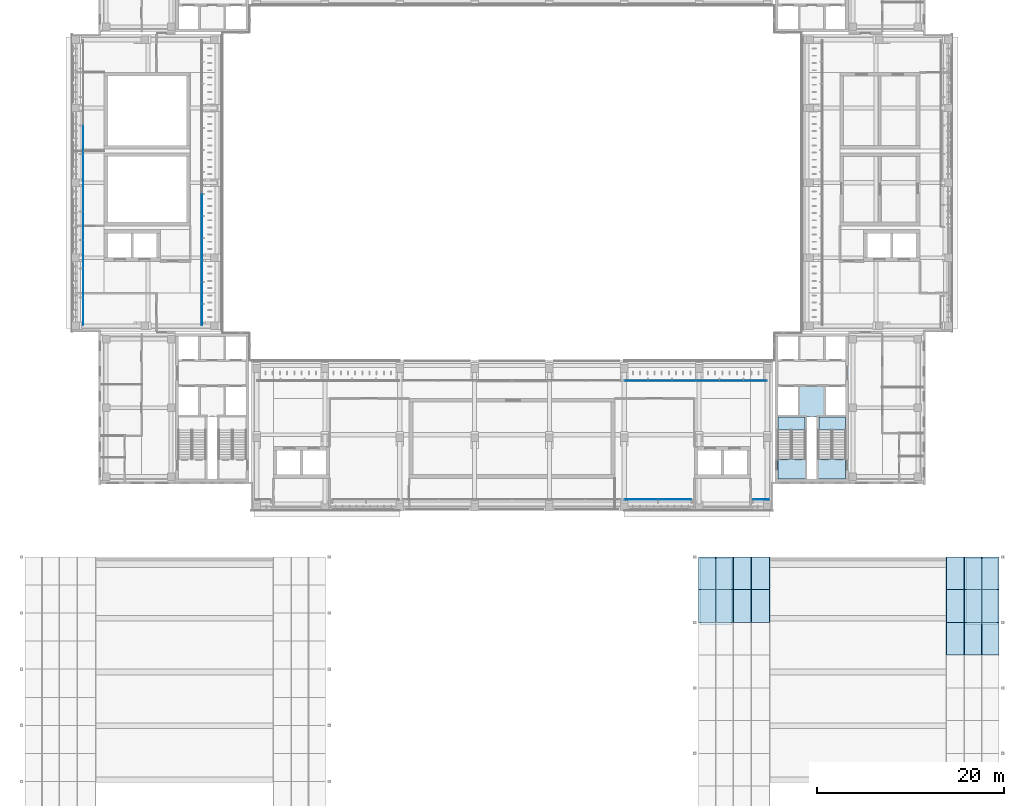
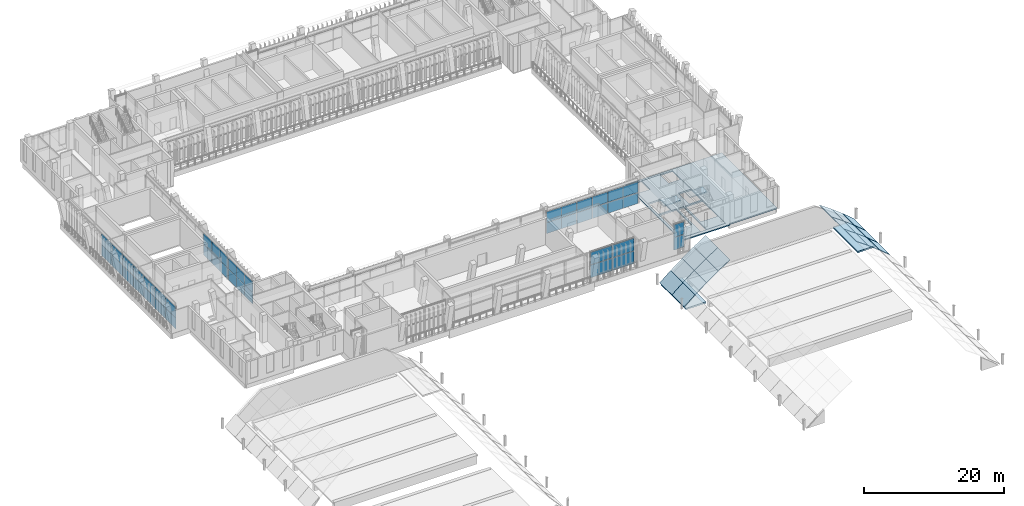
# One storey, part 51 of 89: 44 plates, 23 slabs, 7 elements without a shape of their own.
"""IFC4 building model written with IfcOpenShell, lengths in metres."""

from ifc_helpers import new_model, si_unit, direction, frame, origin, origin_2d, place, context, subcontext, project, spatial, polyline, rectangle, outline, extrude, material, layer, layer_set, type_object, element, aggregate, save


model = new_model("IFC4")

# Units and contexts
model_context = context("Model", 3, precision=1e-05, world=origin(), true_north=direction((0.0, 1.0)))
body_context = subcontext(model_context, "Body", "Model", "MODEL_VIEW")
ifc_project = project(units=[si_unit("LENGTHUNIT", "METRE"), si_unit("AREAUNIT", "SQUARE_METRE"), si_unit("VOLUMEUNIT", "CUBIC_METRE"), si_unit("PLANEANGLEUNIT", "RADIAN"), si_unit("MASSUNIT", "GRAM", prefix="KILO")], contexts=[model_context])

# Site, building, storey
site_placement = place(None, origin())
site = spatial("IfcSite", under=ifc_project, at=site_placement, CompositionType="ELEMENT")
building_placement = place(site_placement, origin())
building = spatial("IfcBuilding", under=site, at=building_placement, Name="Lantern Court Media Centre", CompositionType="ELEMENT")
storey_placement = place(building_placement, frame((0.0, 0.0, 14.39990234375)))
storey = spatial("IfcBuildingStorey", under=building, at=storey_placement, Name="L03", CompositionType="ELEMENT", Elevation=14.39990234375)

# Slab
ifc_material_1 = material(Name="Concrete C40", Category="concrete")
ifc_layer_1 = layer(ifc_material_1, 0.25)
ifc_layer_set_1 = layer_set([ifc_layer_1], Name="Concrete C40")
slab_type_1 = type_object("IfcSlabType", Name="Core floor slab 250", PredefinedType="FLOOR", material=ifc_layer_set_1)
slab_1_placement = place(storey_placement, frame((0.0, 0.0, -0.25)))
element("IfcSlab", 1, at=slab_1_placement, inside=storey, type_object=slab_type_1, Name="L03 SE core floor", PredefinedType="FLOOR", context=body_context, shape_type="SweptSolid", body=[
    extrude(outline(polyline([(87.64990234375, 55.199951171875), (87.64990234375, 54.94970703125), (84.80029296875, 54.94970703125), (84.80029296875, 50.450439453125), (87.64990234375, 50.450439453125), (87.64990234375, 48.35009765625), (84.550048828125, 48.35009765625), (84.550048828125, 54.949951171875), (83.550048828125, 54.949951171875), (83.550048828125, 48.35009765625), (80.449951171875, 48.35009765625), (80.449951171875, 50.450439453125), (83.299560546875, 50.450439453125), (83.299560546875, 54.94970703125), (80.449951171875, 54.94970703125), (80.449951171875, 55.199951171875), (82.550048828125, 55.199951171875), (82.550048828125, 58.199951171875), (80.449951171875, 58.199951171875), (80.449951171875, 61.10009765625), (82.550048828125, 61.10009765625), (82.550048828125, 63.550048828125), (85.550048828125, 63.550048828125), (85.550048828125, 61.10009765625), (87.64990234375, 61.10009765625), (87.64990234375, 58.199951171875), (85.550048828125, 58.199951171875), (85.550048828125, 55.199951171875), (87.64990234375, 55.199951171875)])), origin(), (0.0, 0.0, 1.0), 0.25),
])

# Curtain wall, plates
ifc_material_2 = material(Name="Curtain wall bay 2400")
curtain_wall_type_1 = type_object("IfcCurtainWallType", Name="Curtain wall bay 2400", PredefinedType="NOTDEFINED", material=ifc_material_2)
curtain_wall_1_placement = place(storey_placement, origin())
curtain_wall_1 = element("IfcCurtainWall", 2, at=curtain_wall_1_placement, inside=storey, type_object=curtain_wall_type_1, Name="Curtain wall S inner L03", PredefinedType="NOTDEFINED")
ifc_material_3 = material(Name="Low-iron double glazed unit glass", Category="glass")
ifc_layer_2 = layer(ifc_material_3, 0.02392578125)
ifc_layer_set_2 = layer_set([ifc_layer_2], Name="Low-iron double glazed unit glass")
plate_type_1 = type_object("IfcPlateType", Name="Curtain wall glazing unit 24", PredefinedType="CURTAIN_PANEL", material=ifc_layer_set_2)
plate_1_placement = place(storey_placement, frame((65.28759765625, 58.85009765625, 0.050048828125), z_axis=(0.0, 0.0, 1.0), x_axis=(1.0, 0.0, 0.0)))
plate_1 = element("IfcPlate", 3, at=plate_1_placement, type_object=plate_type_1, Name="CW2 panel 1.1", PredefinedType="CURTAIN_PANEL", context=body_context, shape_type="SweptSolid", body=[
    extrude(rectangle(XDim=2.47509765625, YDim=0.02392578125, at=origin_2d()), origin(), (0.0, 0.0, 1.0), 1.89990234375),
])
plate_2_placement = place(storey_placement, frame((65.28759765625, 58.85009765625, 2.000244140625), z_axis=(0.0, 0.0, 1.0), x_axis=(1.0, 0.0, 0.0)))
plate_2 = element("IfcPlate", 4, at=plate_2_placement, type_object=plate_type_1, Name="CW2 panel 1.2", PredefinedType="CURTAIN_PANEL", context=body_context, shape_type="SweptSolid", body=[
    extrude(rectangle(XDim=2.47509765625, YDim=0.02392578125, at=origin_2d()), origin(), (0.0, 0.0, 1.0), 1.89990234375),
])
plate_3_placement = place(storey_placement, frame((67.824951171875, 58.85009765625, 0.050048828125), z_axis=(0.0, 0.0, 1.0), x_axis=(1.0, 0.0, 0.0)))
plate_3 = element("IfcPlate", 5, at=plate_3_placement, type_object=plate_type_1, Name="CW2 panel 2.1", PredefinedType="CURTAIN_PANEL", context=body_context, shape_type="SweptSolid", body=[
    extrude(rectangle(XDim=2.5, YDim=0.02392578125, at=origin_2d()), origin(), (0.0, 0.0, 1.0), 1.89990234375),
])
plate_4_placement = place(storey_placement, frame((67.824951171875, 58.85009765625, 2.000244140625), z_axis=(0.0, 0.0, 1.0), x_axis=(1.0, 0.0, 0.0)))
plate_4 = element("IfcPlate", 6, at=plate_4_placement, type_object=plate_type_1, Name="CW2 panel 2.2", PredefinedType="CURTAIN_PANEL", context=body_context, shape_type="SweptSolid", body=[
    extrude(rectangle(XDim=2.5, YDim=0.02392578125, at=origin_2d()), origin(), (0.0, 0.0, 1.0), 1.89990234375),
])
plate_5_placement = place(storey_placement, frame((70.375, 58.85009765625, 0.050048828125), z_axis=(0.0, 0.0, 1.0), x_axis=(1.0, 0.0, 0.0)))
plate_5 = element("IfcPlate", 7, at=plate_5_placement, type_object=plate_type_1, Name="CW2 panel 3.1", PredefinedType="CURTAIN_PANEL", context=body_context, shape_type="SweptSolid", body=[
    extrude(rectangle(XDim=2.5, YDim=0.02392578125, at=origin_2d()), origin(), (0.0, 0.0, 1.0), 1.89990234375),
])
plate_6_placement = place(storey_placement, frame((70.375, 58.85009765625, 2.000244140625), z_axis=(0.0, 0.0, 1.0), x_axis=(1.0, 0.0, 0.0)))
plate_6 = element("IfcPlate", 8, at=plate_6_placement, type_object=plate_type_1, Name="CW2 panel 3.2", PredefinedType="CURTAIN_PANEL", context=body_context, shape_type="SweptSolid", body=[
    extrude(rectangle(XDim=2.5, YDim=0.02392578125, at=origin_2d()), origin(), (0.0, 0.0, 1.0), 1.89990234375),
])
plate_7_placement = place(storey_placement, frame((72.925048828125, 58.85009765625, 0.050048828125), z_axis=(0.0, 0.0, 1.0), x_axis=(1.0, 0.0, 0.0)))
plate_7 = element("IfcPlate", 9, at=plate_7_placement, type_object=plate_type_1, Name="CW2 panel 4.1", PredefinedType="CURTAIN_PANEL", context=body_context, shape_type="SweptSolid", body=[
    extrude(rectangle(XDim=2.5, YDim=0.02392578125, at=origin_2d()), origin(), (0.0, 0.0, 1.0), 1.89990234375),
])
plate_8_placement = place(storey_placement, frame((72.925048828125, 58.85009765625, 2.000244140625), z_axis=(0.0, 0.0, 1.0), x_axis=(1.0, 0.0, 0.0)))
plate_8 = element("IfcPlate", 10, at=plate_8_placement, type_object=plate_type_1, Name="CW2 panel 4.2", PredefinedType="CURTAIN_PANEL", context=body_context, shape_type="SweptSolid", body=[
    extrude(rectangle(XDim=2.5, YDim=0.02392578125, at=origin_2d()), origin(), (0.0, 0.0, 1.0), 1.89990234375),
])
plate_9_placement = place(storey_placement, frame((75.47509765625, 58.85009765625, 0.050048828125), z_axis=(0.0, 0.0, 1.0), x_axis=(1.0, 0.0, 0.0)))
plate_9 = element("IfcPlate", 11, at=plate_9_placement, type_object=plate_type_1, Name="CW2 panel 5.1", PredefinedType="CURTAIN_PANEL", context=body_context, shape_type="SweptSolid", body=[
    extrude(rectangle(XDim=2.5, YDim=0.02392578125, at=origin_2d()), origin(), (0.0, 0.0, 1.0), 1.89990234375),
])
plate_10_placement = place(storey_placement, frame((75.47509765625, 58.85009765625, 2.000244140625), z_axis=(0.0, 0.0, 1.0), x_axis=(1.0, 0.0, 0.0)))
plate_10 = element("IfcPlate", 12, at=plate_10_placement, type_object=plate_type_1, Name="CW2 panel 5.2", PredefinedType="CURTAIN_PANEL", context=body_context, shape_type="SweptSolid", body=[
    extrude(rectangle(XDim=2.5, YDim=0.02392578125, at=origin_2d()), origin(), (0.0, 0.0, 1.0), 1.89990234375),
])
plate_11_placement = place(storey_placement, frame((78.012451171875, 58.85009765625, 0.050048828125), z_axis=(0.0, 0.0, 1.0), x_axis=(1.0, 0.0, 0.0)))
plate_11 = element("IfcPlate", 13, at=plate_11_placement, type_object=plate_type_1, Name="CW2 panel 6.1", PredefinedType="CURTAIN_PANEL", context=body_context, shape_type="SweptSolid", body=[
    extrude(rectangle(XDim=2.47509765625, YDim=0.02392578125, at=origin_2d()), origin(), (0.0, 0.0, 1.0), 1.89990234375),
])
plate_12_placement = place(storey_placement, frame((78.012451171875, 58.85009765625, 2.000244140625), z_axis=(0.0, 0.0, 1.0), x_axis=(1.0, 0.0, 0.0)))
plate_12 = element("IfcPlate", 14, at=plate_12_placement, type_object=plate_type_1, Name="CW2 panel 6.2", PredefinedType="CURTAIN_PANEL", context=body_context, shape_type="SweptSolid", body=[
    extrude(rectangle(XDim=2.47509765625, YDim=0.02392578125, at=origin_2d()), origin(), (0.0, 0.0, 1.0), 1.89990234375),
])
aggregate(curtain_wall_1, [plate_1, plate_2, plate_3, plate_4, plate_5, plate_6, plate_7, plate_8, plate_9, plate_10, plate_11, plate_12])

curtain_wall_2_placement = place(storey_placement, origin())
curtain_wall_2 = element("IfcCurtainWall", 15, at=curtain_wall_2_placement, inside=storey, type_object=curtain_wall_type_1, Name="Curtain wall W inner L03", PredefinedType="NOTDEFINED")
plate_13_placement = place(storey_placement, frame((18.85009765625, 65.889404296875, 0.050048828125), z_axis=(0.0, 0.0, 1.0), x_axis=(0.0, 1.0, 0.0)))
plate_13 = element("IfcPlate", 16, at=plate_13_placement, type_object=plate_type_1, Name="CW2 panel 1.1", PredefinedType="CURTAIN_PANEL", context=body_context, shape_type="SweptSolid", body=[
    extrude(rectangle(XDim=2.27880859375, YDim=0.02392578125, at=origin_2d()), origin(), (0.0, 0.0, 1.0), 1.89990234375),
])
plate_14_placement = place(storey_placement, frame((18.85009765625, 65.889404296875, 2.000244140625), z_axis=(0.0, 0.0, 1.0), x_axis=(0.0, 1.0, 0.0)))
plate_14 = element("IfcPlate", 17, at=plate_14_placement, type_object=plate_type_1, Name="CW2 panel 1.2", PredefinedType="CURTAIN_PANEL", context=body_context, shape_type="SweptSolid", body=[
    extrude(rectangle(XDim=2.27880859375, YDim=0.02392578125, at=origin_2d()), origin(), (0.0, 0.0, 1.0), 1.89990234375),
])
plate_15_placement = place(storey_placement, frame((18.85009765625, 68.230712890625, 0.050048828125), z_axis=(0.0, 0.0, 1.0), x_axis=(0.0, 1.0, 0.0)))
plate_15 = element("IfcPlate", 18, at=plate_15_placement, type_object=plate_type_1, Name="CW2 panel 2.1", PredefinedType="CURTAIN_PANEL", context=body_context, shape_type="SweptSolid", body=[
    extrude(rectangle(XDim=2.303955078125, YDim=0.02392578125, at=origin_2d()), origin(), (0.0, 0.0, 1.0), 1.89990234375),
])
plate_16_placement = place(storey_placement, frame((18.85009765625, 68.230712890625, 2.000244140625), z_axis=(0.0, 0.0, 1.0), x_axis=(0.0, 1.0, 0.0)))
plate_16 = element("IfcPlate", 19, at=plate_16_placement, type_object=plate_type_1, Name="CW2 panel 2.2", PredefinedType="CURTAIN_PANEL", context=body_context, shape_type="SweptSolid", body=[
    extrude(rectangle(XDim=2.303955078125, YDim=0.02392578125, at=origin_2d()), origin(), (0.0, 0.0, 1.0), 1.89990234375),
])
plate_17_placement = place(storey_placement, frame((18.85009765625, 70.584716796875, 0.050048828125), z_axis=(0.0, 0.0, 1.0), x_axis=(0.0, 1.0, 0.0)))
plate_17 = element("IfcPlate", 20, at=plate_17_placement, type_object=plate_type_1, Name="CW2 panel 3.1", PredefinedType="CURTAIN_PANEL", context=body_context, shape_type="SweptSolid", body=[
    extrude(rectangle(XDim=2.303955078125, YDim=0.02392578125, at=origin_2d()), origin(), (0.0, 0.0, 1.0), 1.89990234375),
])
plate_18_placement = place(storey_placement, frame((18.85009765625, 70.584716796875, 2.000244140625), z_axis=(0.0, 0.0, 1.0), x_axis=(0.0, 1.0, 0.0)))
plate_18 = element("IfcPlate", 21, at=plate_18_placement, type_object=plate_type_1, Name="CW2 panel 3.2", PredefinedType="CURTAIN_PANEL", context=body_context, shape_type="SweptSolid", body=[
    extrude(rectangle(XDim=2.303955078125, YDim=0.02392578125, at=origin_2d()), origin(), (0.0, 0.0, 1.0), 1.89990234375),
])
plate_19_placement = place(storey_placement, frame((18.85009765625, 72.9384765625, 0.050048828125), z_axis=(0.0, 0.0, 1.0), x_axis=(0.0, 1.0, 0.0)))
plate_19 = element("IfcPlate", 22, at=plate_19_placement, type_object=plate_type_1, Name="CW2 panel 4.1", PredefinedType="CURTAIN_PANEL", context=body_context, shape_type="SweptSolid", body=[
    extrude(rectangle(XDim=2.303955078125, YDim=0.02392578125, at=origin_2d()), origin(), (0.0, 0.0, 1.0), 1.89990234375),
])
plate_20_placement = place(storey_placement, frame((18.85009765625, 72.9384765625, 2.000244140625), z_axis=(0.0, 0.0, 1.0), x_axis=(0.0, 1.0, 0.0)))
plate_20 = element("IfcPlate", 23, at=plate_20_placement, type_object=plate_type_1, Name="CW2 panel 4.2", PredefinedType="CURTAIN_PANEL", context=body_context, shape_type="SweptSolid", body=[
    extrude(rectangle(XDim=2.303955078125, YDim=0.02392578125, at=origin_2d()), origin(), (0.0, 0.0, 1.0), 1.89990234375),
])
plate_21_placement = place(storey_placement, frame((18.85009765625, 75.292236328125, 0.050048828125), z_axis=(0.0, 0.0, 1.0), x_axis=(0.0, 1.0, 0.0)))
plate_21 = element("IfcPlate", 24, at=plate_21_placement, type_object=plate_type_1, Name="CW2 panel 5.1", PredefinedType="CURTAIN_PANEL", context=body_context, shape_type="SweptSolid", body=[
    extrude(rectangle(XDim=2.303955078125, YDim=0.02392578125, at=origin_2d()), origin(), (0.0, 0.0, 1.0), 1.89990234375),
])
plate_22_placement = place(storey_placement, frame((18.85009765625, 75.292236328125, 2.000244140625), z_axis=(0.0, 0.0, 1.0), x_axis=(0.0, 1.0, 0.0)))
plate_22 = element("IfcPlate", 25, at=plate_22_placement, type_object=plate_type_1, Name="CW2 panel 5.2", PredefinedType="CURTAIN_PANEL", context=body_context, shape_type="SweptSolid", body=[
    extrude(rectangle(XDim=2.303955078125, YDim=0.02392578125, at=origin_2d()), origin(), (0.0, 0.0, 1.0), 1.89990234375),
])
plate_23_placement = place(storey_placement, frame((18.85009765625, 77.646240234375, 0.050048828125), z_axis=(0.0, 0.0, 1.0), x_axis=(0.0, 1.0, 0.0)))
plate_23 = element("IfcPlate", 26, at=plate_23_placement, type_object=plate_type_1, Name="CW2 panel 6.1", PredefinedType="CURTAIN_PANEL", context=body_context, shape_type="SweptSolid", body=[
    extrude(rectangle(XDim=2.303955078125, YDim=0.02392578125, at=origin_2d()), origin(), (0.0, 0.0, 1.0), 1.89990234375),
])
plate_24_placement = place(storey_placement, frame((18.85009765625, 77.646240234375, 2.000244140625), z_axis=(0.0, 0.0, 1.0), x_axis=(0.0, 1.0, 0.0)))
plate_24 = element("IfcPlate", 27, at=plate_24_placement, type_object=plate_type_1, Name="CW2 panel 6.2", PredefinedType="CURTAIN_PANEL", context=body_context, shape_type="SweptSolid", body=[
    extrude(rectangle(XDim=2.303955078125, YDim=0.02392578125, at=origin_2d()), origin(), (0.0, 0.0, 1.0), 1.89990234375),
])
aggregate(curtain_wall_2, [plate_13, plate_14, plate_15, plate_16, plate_17, plate_18, plate_19, plate_20, plate_21, plate_22, plate_23, plate_24])

ifc_material_4 = material(Name="Curtain wall bay 3000")
curtain_wall_type_2 = type_object("IfcCurtainWallType", Name="Curtain wall bay 3000", PredefinedType="NOTDEFINED", material=ifc_material_4)
curtain_wall_3_placement = place(storey_placement, origin())
curtain_wall_3 = element("IfcCurtainWall", 28, at=curtain_wall_3_placement, inside=storey, type_object=curtain_wall_type_2, Name="Curtain wall S outer L03", PredefinedType="NOTDEFINED")
ifc_layer_3 = layer(ifc_material_3, 0.028076171875)
ifc_layer_set_3 = layer_set([ifc_layer_3], Name="Low-iron double glazed unit glass")
plate_type_2 = type_object("IfcPlateType", Name="Curtain wall glazing unit 28", PredefinedType="CURTAIN_PANEL", material=ifc_layer_set_3)
plate_25_placement = place(storey_placement, frame((65.827392578125, 46.14990234375, 0.06005859375), z_axis=(0.0, 0.0, 1.0), x_axis=(1.0, 0.0, 0.0)))
plate_25 = element("IfcPlate", 29, at=plate_25_placement, type_object=plate_type_2, Name="CW1 panel 1.1", PredefinedType="CURTAIN_PANEL", context=body_context, shape_type="SweptSolid", body=[
    extrude(rectangle(XDim=3.534912109375, YDim=0.028076171875, at=origin_2d()), origin(), (0.0, 0.0, 1.0), 2.199951171875),
])
plate_26_placement = place(storey_placement, frame((65.827392578125, 46.14990234375, 2.3203125), z_axis=(0.0, 0.0, 1.0), x_axis=(1.0, 0.0, 0.0)))
plate_26 = element("IfcPlate", 30, at=plate_26_placement, type_object=plate_type_2, Name="CW1 panel 1.2", PredefinedType="CURTAIN_PANEL", context=body_context, shape_type="SweptSolid", body=[
    extrude(rectangle(XDim=3.534912109375, YDim=0.028076171875, at=origin_2d()), origin(), (0.0, 0.0, 1.0), 2.199951171875),
])
plate_27_placement = place(storey_placement, frame((69.422607421875, 46.14990234375, 0.06005859375), z_axis=(0.0, 0.0, 1.0), x_axis=(1.0, 0.0, 0.0)))
plate_27 = element("IfcPlate", 31, at=plate_27_placement, type_object=plate_type_2, Name="CW1 panel 2.1", PredefinedType="CURTAIN_PANEL", context=body_context, shape_type="SweptSolid", body=[
    extrude(rectangle(XDim=3.534912109375, YDim=0.028076171875, at=origin_2d()), origin(), (0.0, 0.0, 1.0), 2.199951171875),
])
plate_28_placement = place(storey_placement, frame((69.422607421875, 46.14990234375, 2.3203125), z_axis=(0.0, 0.0, 1.0), x_axis=(1.0, 0.0, 0.0)))
plate_28 = element("IfcPlate", 32, at=plate_28_placement, type_object=plate_type_2, Name="CW1 panel 2.2", PredefinedType="CURTAIN_PANEL", context=body_context, shape_type="SweptSolid", body=[
    extrude(rectangle(XDim=3.534912109375, YDim=0.028076171875, at=origin_2d()), origin(), (0.0, 0.0, 1.0), 2.199951171875),
])
aggregate(curtain_wall_3, [plate_25, plate_26, plate_27, plate_28])

curtain_wall_4_placement = place(storey_placement, origin())
curtain_wall_4 = element("IfcCurtainWall", 33, at=curtain_wall_4_placement, inside=storey, type_object=curtain_wall_type_2, Name="Curtain wall S outer L03", PredefinedType="NOTDEFINED")
plate_29_placement = place(storey_placement, frame((78.6650390625, 46.14990234375, 0.06005859375), z_axis=(0.0, 0.0, 1.0), x_axis=(1.0, 0.0, 0.0)))
plate_29 = element("IfcPlate", 34, at=plate_29_placement, type_object=plate_type_2, Name="CW1 panel 1.1", PredefinedType="CURTAIN_PANEL", context=body_context, shape_type="SweptSolid", body=[
    extrude(rectangle(XDim=1.7099609375, YDim=0.028076171875, at=origin_2d()), origin(), (0.0, 0.0, 1.0), 2.199951171875),
])
plate_30_placement = place(storey_placement, frame((78.6650390625, 46.14990234375, 2.3203125), z_axis=(0.0, 0.0, 1.0), x_axis=(1.0, 0.0, 0.0)))
plate_30 = element("IfcPlate", 35, at=plate_30_placement, type_object=plate_type_2, Name="CW1 panel 1.2", PredefinedType="CURTAIN_PANEL", context=body_context, shape_type="SweptSolid", body=[
    extrude(rectangle(XDim=1.7099609375, YDim=0.028076171875, at=origin_2d()), origin(), (0.0, 0.0, 1.0), 2.199951171875),
])
aggregate(curtain_wall_4, [plate_29, plate_30])

curtain_wall_5_placement = place(storey_placement, origin())
curtain_wall_5 = element("IfcCurtainWall", 36, at=curtain_wall_5_placement, inside=storey, type_object=curtain_wall_type_2, Name="Curtain wall W outer L03", PredefinedType="NOTDEFINED")
plate_31_placement = place(storey_placement, frame((6.14990234375, 66.2451171875, 0.06005859375), z_axis=(0.0, 0.0, 1.0), x_axis=(0.0, 1.0, 0.0)))
plate_31 = element("IfcPlate", 37, at=plate_31_placement, type_object=plate_type_2, Name="CW1 panel 1.1", PredefinedType="CURTAIN_PANEL", context=body_context, shape_type="SweptSolid", body=[
    extrude(rectangle(XDim=2.969970703125, YDim=0.028076171875, at=origin_2d()), origin(), (0.0, 0.0, 1.0), 1.885009765625),
])
plate_32_placement = place(storey_placement, frame((6.14990234375, 66.2451171875, 2.0048828125), z_axis=(0.0, 0.0, 1.0), x_axis=(0.0, 1.0, 0.0)))
plate_32 = element("IfcPlate", 38, at=plate_32_placement, type_object=plate_type_2, Name="CW1 panel 1.2", PredefinedType="CURTAIN_PANEL", context=body_context, shape_type="SweptSolid", body=[
    extrude(rectangle(XDim=2.969970703125, YDim=0.028076171875, at=origin_2d()), origin(), (0.0, 0.0, 1.0), 1.885009765625),
])
plate_33_placement = place(storey_placement, frame((6.14990234375, 69.2900390625, 0.06005859375), z_axis=(0.0, 0.0, 1.0), x_axis=(0.0, 1.0, 0.0)))
plate_33 = element("IfcPlate", 39, at=plate_33_placement, type_object=plate_type_2, Name="CW1 panel 2.1", PredefinedType="CURTAIN_PANEL", context=body_context, shape_type="SweptSolid", body=[
    extrude(rectangle(XDim=3.0, YDim=0.028076171875, at=origin_2d()), origin(), (0.0, 0.0, 1.0), 1.885009765625),
])
plate_34_placement = place(storey_placement, frame((6.14990234375, 69.2900390625, 2.0048828125), z_axis=(0.0, 0.0, 1.0), x_axis=(0.0, 1.0, 0.0)))
plate_34 = element("IfcPlate", 40, at=plate_34_placement, type_object=plate_type_2, Name="CW1 panel 2.2", PredefinedType="CURTAIN_PANEL", context=body_context, shape_type="SweptSolid", body=[
    extrude(rectangle(XDim=3.0, YDim=0.028076171875, at=origin_2d()), origin(), (0.0, 0.0, 1.0), 1.885009765625),
])
plate_35_placement = place(storey_placement, frame((6.14990234375, 72.35009765625, 0.06005859375), z_axis=(0.0, 0.0, 1.0), x_axis=(0.0, 1.0, 0.0)))
plate_35 = element("IfcPlate", 41, at=plate_35_placement, type_object=plate_type_2, Name="CW1 panel 3.1", PredefinedType="CURTAIN_PANEL", context=body_context, shape_type="SweptSolid", body=[
    extrude(rectangle(XDim=3.0, YDim=0.028076171875, at=origin_2d()), origin(), (0.0, 0.0, 1.0), 1.885009765625),
])
plate_36_placement = place(storey_placement, frame((6.14990234375, 72.35009765625, 2.0048828125), z_axis=(0.0, 0.0, 1.0), x_axis=(0.0, 1.0, 0.0)))
plate_36 = element("IfcPlate", 42, at=plate_36_placement, type_object=plate_type_2, Name="CW1 panel 3.2", PredefinedType="CURTAIN_PANEL", context=body_context, shape_type="SweptSolid", body=[
    extrude(rectangle(XDim=3.0, YDim=0.028076171875, at=origin_2d()), origin(), (0.0, 0.0, 1.0), 1.885009765625),
])
plate_37_placement = place(storey_placement, frame((6.14990234375, 75.409912109375, 0.06005859375), z_axis=(0.0, 0.0, 1.0), x_axis=(0.0, 1.0, 0.0)))
plate_37 = element("IfcPlate", 43, at=plate_37_placement, type_object=plate_type_2, Name="CW1 panel 4.1", PredefinedType="CURTAIN_PANEL", context=body_context, shape_type="SweptSolid", body=[
    extrude(rectangle(XDim=3.0, YDim=0.028076171875, at=origin_2d()), origin(), (0.0, 0.0, 1.0), 1.885009765625),
])
plate_38_placement = place(storey_placement, frame((6.14990234375, 75.409912109375, 2.0048828125), z_axis=(0.0, 0.0, 1.0), x_axis=(0.0, 1.0, 0.0)))
plate_38 = element("IfcPlate", 44, at=plate_38_placement, type_object=plate_type_2, Name="CW1 panel 4.2", PredefinedType="CURTAIN_PANEL", context=body_context, shape_type="SweptSolid", body=[
    extrude(rectangle(XDim=3.0, YDim=0.028076171875, at=origin_2d()), origin(), (0.0, 0.0, 1.0), 1.885009765625),
])
plate_39_placement = place(storey_placement, frame((6.14990234375, 78.469970703125, 0.06005859375), z_axis=(0.0, 0.0, 1.0), x_axis=(0.0, 1.0, 0.0)))
plate_39 = element("IfcPlate", 45, at=plate_39_placement, type_object=plate_type_2, Name="CW1 panel 5.1", PredefinedType="CURTAIN_PANEL", context=body_context, shape_type="SweptSolid", body=[
    extrude(rectangle(XDim=3.0, YDim=0.028076171875, at=origin_2d()), origin(), (0.0, 0.0, 1.0), 1.885009765625),
])
plate_40_placement = place(storey_placement, frame((6.14990234375, 78.469970703125, 2.0048828125), z_axis=(0.0, 0.0, 1.0), x_axis=(0.0, 1.0, 0.0)))
plate_40 = element("IfcPlate", 46, at=plate_40_placement, type_object=plate_type_2, Name="CW1 panel 5.2", PredefinedType="CURTAIN_PANEL", context=body_context, shape_type="SweptSolid", body=[
    extrude(rectangle(XDim=3.0, YDim=0.028076171875, at=origin_2d()), origin(), (0.0, 0.0, 1.0), 1.885009765625),
])
plate_41_placement = place(storey_placement, frame((6.14990234375, 81.530029296875, 0.06005859375), z_axis=(0.0, 0.0, 1.0), x_axis=(0.0, 1.0, 0.0)))
plate_41 = element("IfcPlate", 47, at=plate_41_placement, type_object=plate_type_2, Name="CW1 panel 6.1", PredefinedType="CURTAIN_PANEL", context=body_context, shape_type="SweptSolid", body=[
    extrude(rectangle(XDim=3.0, YDim=0.028076171875, at=origin_2d()), origin(), (0.0, 0.0, 1.0), 1.885009765625),
])
plate_42_placement = place(storey_placement, frame((6.14990234375, 81.530029296875, 2.0048828125), z_axis=(0.0, 0.0, 1.0), x_axis=(0.0, 1.0, 0.0)))
plate_42 = element("IfcPlate", 48, at=plate_42_placement, type_object=plate_type_2, Name="CW1 panel 6.2", PredefinedType="CURTAIN_PANEL", context=body_context, shape_type="SweptSolid", body=[
    extrude(rectangle(XDim=3.0, YDim=0.028076171875, at=origin_2d()), origin(), (0.0, 0.0, 1.0), 1.885009765625),
])
plate_43_placement = place(storey_placement, frame((6.14990234375, 84.590087890625, 0.06005859375), z_axis=(0.0, 0.0, 1.0), x_axis=(0.0, 1.0, 0.0)))
plate_43 = element("IfcPlate", 49, at=plate_43_placement, type_object=plate_type_2, Name="CW1 panel 7.1", PredefinedType="CURTAIN_PANEL", context=body_context, shape_type="SweptSolid", body=[
    extrude(rectangle(XDim=3.0, YDim=0.028076171875, at=origin_2d()), origin(), (0.0, 0.0, 1.0), 1.885009765625),
])
plate_44_placement = place(storey_placement, frame((6.14990234375, 84.590087890625, 2.0048828125), z_axis=(0.0, 0.0, 1.0), x_axis=(0.0, 1.0, 0.0)))
plate_44 = element("IfcPlate", 50, at=plate_44_placement, type_object=plate_type_2, Name="CW1 panel 7.2", PredefinedType="CURTAIN_PANEL", context=body_context, shape_type="SweptSolid", body=[
    extrude(rectangle(XDim=3.0, YDim=0.028076171875, at=origin_2d()), origin(), (0.0, 0.0, 1.0), 1.885009765625),
])
aggregate(curtain_wall_5, [plate_31, plate_32, plate_33, plate_34, plate_35, plate_36, plate_37, plate_38, plate_39, plate_40, plate_41, plate_42, plate_43, plate_44])

# Slabs
ifc_material_5 = material(Name="Zinc standing seam on insulation")
ifc_layer_4 = layer(ifc_material_5, 0.10009765625)
ifc_layer_set_4 = layer_set([ifc_layer_4], Name="Zinc standing seam on insulation")
slab_type_2 = type_object("IfcSlabType", Name="Hall roof panel, standing seam 100", PredefinedType="ROOF", material=ifc_layer_set_4)
for number, where, z_axis, x_axis, name in (
    (51, (71.937744140625, 33.0, 0.148193359375), (-0.641727592896, 0.0, 0.766932654485), (0.766932654485, 0.0, 0.641727592896), "Studio Hall roof panel"),
    (52, (71.937744140625, 36.5, 0.148193359375), (-0.641727592896, 0.0, 0.766932654485), (0.766932654485, 0.0, 0.641727592896), "Studio Hall roof panel"),
):
    element("IfcSlab", number, at=place(storey_placement, frame(where, z_axis=z_axis, x_axis=x_axis)), inside=storey, type_object=slab_type_2, Name=name, PredefinedType="ROOF", context=body_context, shape_type="SweptSolid", body=[
        extrude(outline(polyline([(0.0, 0.0), (2.363310506340088, 0.0), (2.363310506340088, 3.5), (0.0, 3.5), (0.0, 0.0)])), origin(), (0.0, 0.0, -1.0), 0.10009765625),
    ])
for number, where, z_axis, x_axis, name in (
    (53, (73.757080078125, 33.0, 1.67041015625), (-0.610968132406, 0.0, 0.79165519084), (0.79165519084, 0.0, 0.610968132406), "Studio Hall roof panel"),
    (54, (73.757080078125, 36.5, 1.67041015625), (-0.610968132406, 0.0, 0.79165519084), (0.79165519084, 0.0, 0.610968132406), "Studio Hall roof panel"),
):
    element("IfcSlab", number, at=place(storey_placement, frame(where, z_axis=z_axis, x_axis=x_axis)), inside=storey, type_object=slab_type_2, Name=name, PredefinedType="ROOF", context=body_context, shape_type="SweptSolid", body=[
        extrude(outline(polyline([(0.0, 0.0), (2.36321271056103, 0.0), (2.36321271056103, 3.5), (0.0, 3.5), (0.0, 0.0)])), origin(), (0.0, 0.0, -1.0), 0.10009765625),
    ])
for number, where, z_axis, x_axis, name in (
    (55, (75.635009765625, 33.0, 3.11962890625), (-0.579223390628, 0.0, 0.815168855974), (0.815168855974, 0.0, 0.579223390628), "Studio Hall roof panel"),
    (56, (75.635009765625, 36.5, 3.11962890625), (-0.579223390628, 0.0, 0.815168855974), (0.815168855974, 0.0, 0.579223390628), "Studio Hall roof panel"),
):
    element("IfcSlab", number, at=place(storey_placement, frame(where, z_axis=z_axis, x_axis=x_axis)), inside=storey, type_object=slab_type_2, Name=name, PredefinedType="ROOF", context=body_context, shape_type="SweptSolid", body=[
        extrude(outline(polyline([(0.0, 0.0), (2.3633308090183927, 0.0), (2.3633308090183927, 3.5), (0.0, 3.5), (0.0, 0.0)])), origin(), (0.0, 0.0, -1.0), 0.10009765625),
    ])
for number, where, z_axis, x_axis, name in (
    (57, (77.56884765625, 33.0, 4.493408203125), (-0.546639605859, 0.0, 0.837367984405), (0.837367984405, 0.0, 0.546639605859), "Studio Hall roof panel"),
    (58, (77.56884765625, 36.5, 4.493408203125), (-0.546639605859, 0.0, 0.837367984405), (0.837367984405, 0.0, 0.546639605859), "Studio Hall roof panel"),
):
    element("IfcSlab", number, at=place(storey_placement, frame(where, z_axis=z_axis, x_axis=x_axis)), inside=storey, type_object=slab_type_2, Name=name, PredefinedType="ROOF", context=body_context, shape_type="SweptSolid", body=[
        extrude(outline(polyline([(0.0, 0.0), (2.3630707197757923, 0.0), (2.3630707197757923, 3.4999999999999996), (0.0, 3.4999999999999996), (0.0, 0.0)])), origin(), (0.0, 0.0, -1.0), 0.10009765625),
    ])
for number, where, z_axis, x_axis, name in (
    (59, (98.4384765625, 29.5, 4.488525390625), (0.579223390628, 0.0, 0.815168855974), (0.815168855974, 0.0, -0.579223390628), "Studio Hall roof panel"),
    (60, (98.4384765625, 33.0, 4.488525390625), (0.579223390628, 0.0, 0.815168855974), (0.815168855974, 0.0, -0.579223390628), "Studio Hall roof panel"),
    (61, (98.4384765625, 36.5, 4.488525390625), (0.579223390628, 0.0, 0.815168855974), (0.815168855974, 0.0, -0.579223390628), "Studio Hall roof panel"),
):
    element("IfcSlab", number, at=place(storey_placement, frame(where, z_axis=z_axis, x_axis=x_axis)), inside=storey, type_object=slab_type_2, Name=name, PredefinedType="ROOF", context=body_context, shape_type="SweptSolid", body=[
        extrude(outline(polyline([(0.0, 0.0), (2.3633308090183927, 0.0), (2.3633308090183927, 3.5), (0.0, 3.5), (0.0, 0.0)])), origin(), (0.0, 0.0, -1.0), 0.10009765625),
    ])
for number, where, z_axis, x_axis, name in (
    (62, (100.3720703125, 29.5, 3.1142578125), (0.610968132406, 0.0, 0.79165519084), (0.79165519084, 0.0, -0.610968132406), "Studio Hall roof panel"),
    (63, (100.3720703125, 33.0, 3.1142578125), (0.610968132406, 0.0, 0.79165519084), (0.79165519084, 0.0, -0.610968132406), "Studio Hall roof panel"),
    (64, (100.3720703125, 36.5, 3.1142578125), (0.610968132406, 0.0, 0.79165519084), (0.79165519084, 0.0, -0.610968132406), "Studio Hall roof panel"),
):
    element("IfcSlab", number, at=place(storey_placement, frame(where, z_axis=z_axis, x_axis=x_axis)), inside=storey, type_object=slab_type_2, Name=name, PredefinedType="ROOF", context=body_context, shape_type="SweptSolid", body=[
        extrude(outline(polyline([(0.0, 0.0), (2.36321271056103, 0.0), (2.36321271056103, 3.5), (0.0, 3.5), (0.0, 0.0)])), origin(), (0.0, 0.0, -1.0), 0.10009765625),
    ])
for number, where, z_axis, x_axis, name in (
    (65, (102.249755859375, 29.5, 1.664794921875), (0.641727592896, 0.0, 0.766932654485), (0.766932654485, 0.0, -0.641727592896), "Studio Hall roof panel"),
    (66, (102.249755859375, 33.0, 1.664794921875), (0.641727592896, 0.0, 0.766932654485), (0.766932654485, 0.0, -0.641727592896), "Studio Hall roof panel"),
    (67, (102.249755859375, 36.5, 1.664794921875), (0.641727592896, 0.0, 0.766932654485), (0.766932654485, 0.0, -0.641727592896), "Studio Hall roof panel"),
):
    element("IfcSlab", number, at=place(storey_placement, frame(where, z_axis=z_axis, x_axis=x_axis)), inside=storey, type_object=slab_type_2, Name=name, PredefinedType="ROOF", context=body_context, shape_type="SweptSolid", body=[
        extrude(outline(polyline([(0.0, 0.0), (2.363310506340088, 0.0), (2.363310506340088, 3.5), (0.0, 3.5), (0.0, 0.0)])), origin(), (0.0, 0.0, -1.0), 0.10009765625),
    ])
ifc_layer_5 = layer(ifc_material_1, 0.25)
ifc_layer_set_5 = layer_set([ifc_layer_5], Name="Concrete C40")
slab_type_3 = type_object("IfcSlabType", Name="Head-house roof slab 250", PredefinedType="ROOF", material=ifc_layer_set_5)
slab_2_placement = place(storey_placement, frame((0.0, 0.0, -0.25)))
element("IfcSlab", 68, at=slab_2_placement, inside=storey, type_object=slab_type_3, Name="V2-ST-W shaft lid", PredefinedType="ROOF", context=body_context, shape_type="SweptSolid", body=[
    extrude(outline(polyline([(72.10009765625, 32.75), (75.449951171875, 32.75), (75.449951171875, 39.85009765625), (72.10009765625, 39.85009765625), (72.10009765625, 32.75)])), origin(), (0.0, 0.0, 1.0), 0.25),
])
slab_3_placement = place(storey_placement, frame((0.0, 0.0, -0.25)))
element("IfcSlab", 69, at=slab_3_placement, inside=storey, type_object=slab_type_3, Name="V2-ST-E shaft lid", PredefinedType="ROOF", context=body_context, shape_type="SweptSolid", body=[
    extrude(outline(polyline([(100.550048828125, 32.75), (103.89990234375, 32.75), (103.89990234375, 39.85009765625), (100.550048828125, 39.85009765625), (100.550048828125, 32.75)])), origin(), (0.0, 0.0, 1.0), 0.25),
])
ifc_material_6 = material(Name="Concrete C35", Category="concrete")
ifc_layer_6 = layer(ifc_material_6, 0.199951171875)
ifc_layer_set_6 = layer_set([ifc_layer_6], Name="Concrete C35")
slab_type_4 = type_object("IfcSlabType", Name="RC FLOOR SLAB 200", PredefinedType="FLOOR", material=ifc_layer_set_6)
slab_4_placement = place(storey_placement, frame((0.0, 0.0, -0.199951171875)))
element("IfcSlab", 70, at=slab_4_placement, inside=storey, type_object=slab_type_4, Name="SL-SE-L03", PredefinedType="FLOOR", context=body_context, shape_type="SweptSolid", body=[
    extrude(outline(polyline([(80.10009765625, 63.89990234375), (96.0, 63.89990234375), (96.0, 48.0), (88.10009765625, 48.0), (88.10009765625, 47.780029296875), (80.10009765625, 47.780029296875), (80.10009765625, 48.0), (80.10009765625, 63.89990234375)]), holes=[polyline([(80.449951171875, 63.550048828125), (80.449951171875, 48.35009765625), (87.64990234375, 48.35009765625), (87.64990234375, 63.550048828125), (80.449951171875, 63.550048828125)])]), origin(), (0.0, 0.0, 1.0), 0.199951171875),
])

# Stair, slab
stair_type = type_object("IfcStairType", Name="Exit stair 1350", PredefinedType="HALF_TURN_STAIR", material=ifc_material_1)
stair_1_placement = place(storey_placement, origin())
stair_1 = element("IfcStair", 71, at=stair_1_placement, inside=storey, type_object=stair_type, Name="L03 SE exit stair A", PredefinedType="HALF_TURN_STAIR")
ifc_layer_7 = layer(ifc_material_1, 0.199951171875)
ifc_layer_set_7 = layer_set([ifc_layer_7], Name="Concrete C40")
slab_type_5 = type_object("IfcSlabType", Name="Stair landing RC 200", PredefinedType="LANDING", material=ifc_layer_set_7)
slab_5_placement = place(storey_placement, frame((0.0, 0.0, 2.2001953125)))
slab_5 = element("IfcSlab", 72, at=slab_5_placement, type_object=slab_type_5, Name="ST-SEA landing 1", PredefinedType="LANDING", context=body_context, shape_type="SweptSolid", body=[
    extrude(outline(polyline([(87.64990234375, 53.570068359375), (87.64990234375, 54.949951171875), (84.800048828125, 54.949951171875), (84.800048828125, 53.570068359375), (87.64990234375, 53.570068359375)])), origin(), (0.0, 0.0, 1.0), 0.199951171875),
])
aggregate(stair_1, [slab_5])

stair_2_placement = place(storey_placement, origin())
stair_2 = element("IfcStair", 73, at=stair_2_placement, inside=storey, type_object=stair_type, Name="L03 SE exit stair B", PredefinedType="HALF_TURN_STAIR")
slab_6_placement = place(storey_placement, frame((0.0, 0.0, 2.2001953125)))
slab_6 = element("IfcSlab", 74, at=slab_6_placement, type_object=slab_type_5, Name="ST-SEB landing 1", PredefinedType="LANDING", context=body_context, shape_type="SweptSolid", body=[
    extrude(outline(polyline([(83.300048828125, 53.570068359375), (83.300048828125, 54.949951171875), (80.449951171875, 54.949951171875), (80.449951171875, 53.570068359375), (83.300048828125, 53.570068359375)])), origin(), (0.0, 0.0, 1.0), 0.199951171875),
])
aggregate(stair_2, [slab_6])

save(model, "model.ifc")
